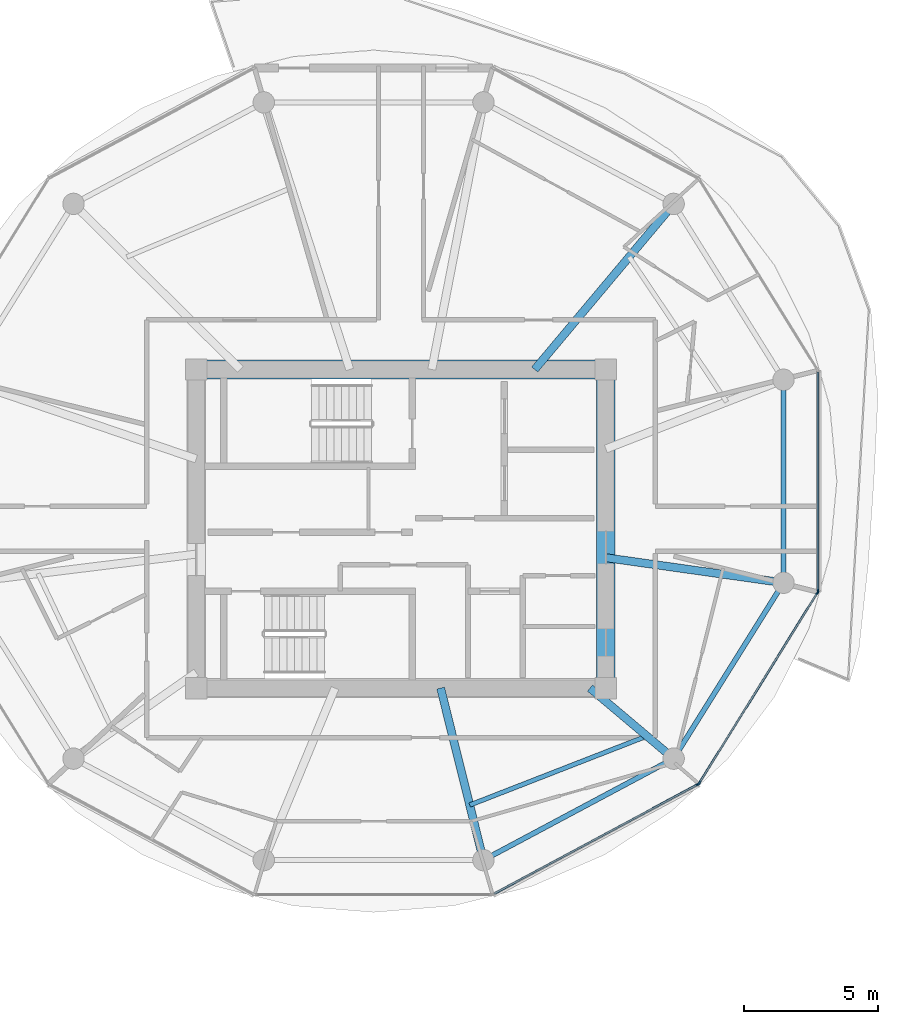
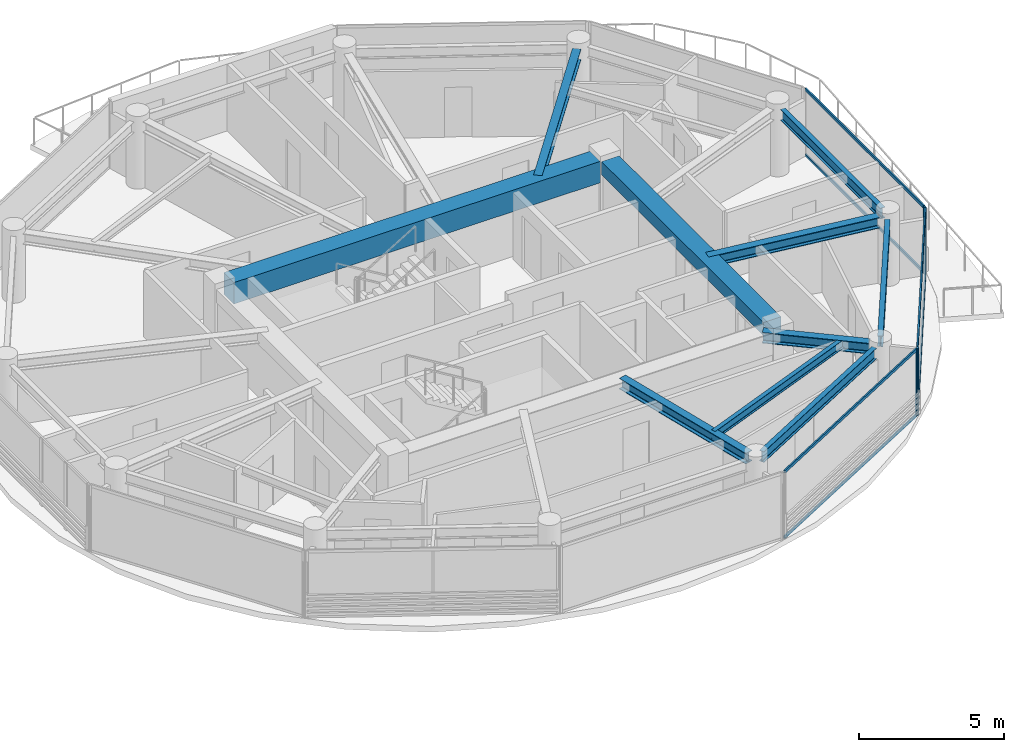
# One storey, part 9 of 22: 10 beams, 10 members, 3 elements without a shape of their own.
"""IFC4 building model written with IfcOpenShell, lengths in metres."""

from ifc_helpers import new_model, si_unit, direction, frame, origin, origin_2d, place, context, subcontext, project, spatial, rectangle, i_section, extrude, source, transform, mapped, material, layer, layer_set, material_profile, profile_set, type_object, type_shapes, element, aggregate, save


model = new_model("IFC4")

# Units and contexts
model_context = context("Model", 3, precision=1e-05, world=origin(), true_north=direction((0.0, 1.0)))
body_context = subcontext(model_context, "Body", "Model", "MODEL_VIEW")
ifc_project = project(units=[si_unit("LENGTHUNIT", "METRE"), si_unit("AREAUNIT", "SQUARE_METRE"), si_unit("VOLUMEUNIT", "CUBIC_METRE"), si_unit("PLANEANGLEUNIT", "RADIAN"), si_unit("MASSUNIT", "GRAM", prefix="KILO")], contexts=[model_context])

# Site, building, storey
site_placement = place(None, origin())
site = spatial("IfcSite", under=ifc_project, at=site_placement, CompositionType="ELEMENT")
building_placement = place(site_placement, origin())
building = spatial("IfcBuilding", under=site, at=building_placement, Name="Norrkilde Senior Care Towers", CompositionType="ELEMENT")
storey_placement = place(building_placement, frame((0.0, 0.0, 170.89990234375)))
storey = spatial("IfcBuildingStorey", under=building, at=storey_placement, Name="L53", CompositionType="ELEMENT", Elevation=170.89990234375)

# Beams
ifc_material_1 = material(Name="Concrete C60/75", Category="concrete")
ifc_material_profile_1 = material_profile(ifc_material_1, rectangle(XDim=0.699951171875, YDim=0.89990234375, at=origin_2d()), Name="RC BM 700x900")
ifc_profile_set_1 = profile_set([ifc_material_profile_1], Name="Concrete C60/75")
beam_type_1 = type_object("IfcBeamType", Name="Core Coupling Girder 700x900", PredefinedType="USERDEFINED", material=ifc_profile_set_1)
shared_shape_1 = source(origin(), body_context, "Body", "SweptSolid", [
    extrude(rectangle(XDim=0.699951171875, YDim=0.89990234375, at=origin_2d()), origin(), (0.0, 0.0, 1.0), 14.5400390625),
])
type_shapes(beam_type_1, [shared_shape_1])
beam_1_placement = place(storey_placement, frame((20.72998046875, 5.949951171875, 2.360107421875), z_axis=(1.0, 0.0, 0.0), x_axis=(0.0, 1.0, 0.0)))
element("IfcBeam", 1, at=beam_1_placement, inside=storey, type_object=beam_type_1, Name="L53 Core E N Coupling Girder", ObjectType="GIRDER", PredefinedType="USERDEFINED", context=body_context, shape_type="MappedRepresentation", body=[
    mapped(shared_shape_1, transform((0.0, 0.0, 0.0), x_axis=(1.0, 0.0, 0.0), y_axis=(0.0, 1.0, 0.0), z_axis=(0.0, 0.0, 1.0), scale=1.0)),
])
ifc_material_profile_2 = material_profile(ifc_material_1, rectangle(XDim=0.699951171875, YDim=0.550048828125, at=origin_2d()), Name="RC BM 700x550")
ifc_profile_set_2 = profile_set([ifc_material_profile_2], Name="Concrete C60/75")
beam_type_2 = type_object("IfcBeamType", Name="Core Portal Coupling Beam 700x550", PredefinedType="USERDEFINED", material=ifc_profile_set_2)
shared_shape_2 = source(origin(), body_context, "Body", "SweptSolid", [
    extrude(rectangle(XDim=0.699951171875, YDim=0.550048828125, at=origin_2d()), origin(), (0.0, 0.0, 1.0), 11.14013671875),
])
type_shapes(beam_type_2, [shared_shape_2])
beam_2_placement = place(storey_placement, frame((35.64990234375, -5.570068359375, 2.53515625), z_axis=(0.0, 1.0, 0.0), x_axis=(-1.0, 0.0, 0.0)))
element("IfcBeam", 2, at=beam_2_placement, inside=storey, type_object=beam_type_2, Name="L53 Core E E Coupling Girder", ObjectType="GIRDER", PredefinedType="USERDEFINED", context=body_context, shape_type="MappedRepresentation", body=[
    mapped(shared_shape_2, transform((0.0, 0.0, 0.0), x_axis=(1.0, 0.0, 0.0), y_axis=(0.0, 1.0, 0.0), z_axis=(0.0, 0.0, 1.0), scale=1.0)),
])
ifc_material_2 = material(Name="Steel S355", Category="steel")
ifc_material_profile_3 = material_profile(ifc_material_2, i_section(OverallWidth=0.300048828125, OverallDepth=0.449951171875, WebThickness=0.013916015625, FlangeThickness=0.02587890625, FilletRadius=0.027099609375, at=origin_2d()), Name="HEB 450")
ifc_profile_set_3 = profile_set([ifc_material_profile_3], Name="Steel S355")
beam_type_3 = type_object("IfcBeamType", Name="Radial Floor Beam Z3 HEB450", PredefinedType="BEAM", material=ifc_profile_set_3)
shared_shape_3 = source(origin(), body_context, "Body", "SweptSolid", [
    extrude(i_section(OverallWidth=0.300048828125, OverallDepth=0.449951171875, WebThickness=0.013916015625, FlangeThickness=0.02587890625, FilletRadius=0.027099609375, at=origin_2d()), origin(), (0.0, 0.0, 1.0), 7.71337890625),
])
beam_3_placement = place(storey_placement, frame((32.992919921875, 5.949951171875, 2.585205078125), z_axis=(0.642808239864, 0.766027131872, 0.0), x_axis=(-0.766027131872, 0.642808239864, 0.0)))
element("IfcBeam", 3, at=beam_3_placement, inside=storey, type_object=beam_type_3, Name="L53 Drum E Radial Floor Beam 02", PredefinedType="BEAM", context=body_context, shape_type="MappedRepresentation", body=[
    mapped(shared_shape_3, transform((0.0, 0.0, 0.0), x_axis=(1.0, 0.0, 0.0), y_axis=(0.0, 1.0, 0.0), z_axis=(0.0, 0.0, 1.0), scale=1.0)),
])
ifc_material_profile_4 = material_profile(ifc_material_2, i_section(OverallWidth=0.18994140625, OverallDepth=0.449951171875, WebThickness=0.009521484375, FlangeThickness=0.0146484375, FilletRadius=0.02099609375, at=origin_2d()), Name="IPE 450")
ifc_profile_set_4 = profile_set([ifc_material_profile_4], Name="Steel S355")
beam_type_4 = type_object("IfcBeamType", Name="Perimeter Ring Spandrel Z3 IPE450", PredefinedType="SPANDREL", material=ifc_profile_set_4)
shared_shape_4 = source(origin(), body_context, "Body", "SweptSolid", [
    extrude(i_section(OverallWidth=0.18994140625, OverallDepth=0.449951171875, WebThickness=0.009521484375, FlangeThickness=0.0146484375, FilletRadius=0.02099609375, at=origin_2d()), origin(), (0.0, 0.0, 1.0), 6.86328125),
])
beam_4_placement = place(storey_placement, frame((42.284912109375, -1.65625, 2.585205078125), z_axis=(0.0, 1.0, 0.0), x_axis=(-1.0, 0.0, 0.0)))
element("IfcBeam", 4, at=beam_4_placement, inside=storey, type_object=beam_type_4, Name="L53 Drum E Perimeter Spandrel 12", PredefinedType="SPANDREL", context=body_context, shape_type="MappedRepresentation", body=[
    mapped(shared_shape_4, transform((0.0, 0.0, 0.0), x_axis=(1.0, 0.0, 0.0), y_axis=(0.0, 1.0, 0.0), z_axis=(0.0, 0.0, 1.0), scale=1.0)),
])
shared_shape_5 = source(origin(), body_context, "Body", "SweptSolid", [
    extrude(i_section(OverallWidth=0.18994140625, OverallDepth=0.449951171875, WebThickness=0.009521484375, FlangeThickness=0.0146484375, FilletRadius=0.02099609375, at=origin_2d()), origin(), (0.0, 0.0, 1.0), 7.023193359375),
])
beam_5_placement = place(storey_placement, frame((38.373291015625, -8.2783203125, 2.585205078125), z_axis=(0.529805197269, 0.848119362441, 0.0), x_axis=(-0.848119362441, 0.529805197269, 0.0)))
element("IfcBeam", 5, at=beam_5_placement, inside=storey, type_object=beam_type_4, Name="L53 Drum E Perimeter Spandrel 11", PredefinedType="SPANDREL", context=body_context, shape_type="MappedRepresentation", body=[
    mapped(shared_shape_5, transform((0.0, 0.0, 0.0), x_axis=(1.0, 0.0, 0.0), y_axis=(0.0, 1.0, 0.0), z_axis=(0.0, 0.0, 1.0), scale=1.0)),
])
shared_shape_6 = source(origin(), body_context, "Body", "SweptSolid", [
    extrude(i_section(OverallWidth=0.300048828125, OverallDepth=0.449951171875, WebThickness=0.013916015625, FlangeThickness=0.02587890625, FilletRadius=0.027099609375, at=origin_2d()), origin(), (0.0, 0.0, 1.0), 6.3408203125),
])
beam_6_placement = place(storey_placement, frame((35.64990234375, -1.079833984375, 2.585205078125), z_axis=(0.990184519576, -0.139766294905, 0.0), x_axis=(0.139766294905, 0.990184519576, 0.0)))
element("IfcBeam", 6, at=beam_6_placement, inside=storey, type_object=beam_type_3, Name="L53 Drum E Radial Floor Beam 12", PredefinedType="BEAM", context=body_context, shape_type="MappedRepresentation", body=[
    mapped(shared_shape_6, transform((0.0, 0.0, 0.0), x_axis=(1.0, 0.0, 0.0), y_axis=(0.0, 1.0, 0.0), z_axis=(0.0, 0.0, 1.0), scale=1.0)),
])
shared_shape_7 = source(origin(), body_context, "Body", "SweptSolid", [
    extrude(i_section(OverallWidth=0.18994140625, OverallDepth=0.449951171875, WebThickness=0.009521484375, FlangeThickness=0.0146484375, FilletRadius=0.02099609375, at=origin_2d()), origin(), (0.0, 0.0, 1.0), 7.333984375),
])
type_shapes(beam_type_4, [shared_shape_4, shared_shape_5, shared_shape_7])
beam_7_placement = place(storey_placement, frame((31.394775390625, -12.2060546875, 2.585205078125), z_axis=(0.882234038987, 0.470811109101, 0.0), x_axis=(-0.470811109101, 0.882234038987, 0.0)))
element("IfcBeam", 7, at=beam_7_placement, inside=storey, type_object=beam_type_4, Name="L53 Drum E Perimeter Spandrel 10", PredefinedType="SPANDREL", context=body_context, shape_type="MappedRepresentation", body=[
    mapped(shared_shape_7, transform((0.0, 0.0, 0.0), x_axis=(1.0, 0.0, 0.0), y_axis=(0.0, 1.0, 0.0), z_axis=(0.0, 0.0, 1.0), scale=1.0)),
])
shared_shape_8 = source(origin(), body_context, "Body", "SweptSolid", [
    extrude(i_section(OverallWidth=0.300048828125, OverallDepth=0.449951171875, WebThickness=0.013916015625, FlangeThickness=0.02587890625, FilletRadius=0.027099609375, at=origin_2d()), origin(), (0.0, 0.0, 1.0), 3.7265625),
])
beam_8_placement = place(storey_placement, frame((35.058349609375, -5.949951171875, 2.585205078125), z_axis=(0.764567902106, -0.644543189453, 0.0), x_axis=(0.644543189453, 0.764567902106, 0.0)))
element("IfcBeam", 8, at=beam_8_placement, inside=storey, type_object=beam_type_3, Name="L53 Drum E Radial Floor Beam 11", PredefinedType="BEAM", context=body_context, shape_type="MappedRepresentation", body=[
    mapped(shared_shape_8, transform((0.0, 0.0, 0.0), x_axis=(1.0, 0.0, 0.0), y_axis=(0.0, 1.0, 0.0), z_axis=(0.0, 0.0, 1.0), scale=1.0)),
])
shared_shape_9 = source(origin(), body_context, "Body", "SweptSolid", [
    extrude(i_section(OverallWidth=0.300048828125, OverallDepth=0.449951171875, WebThickness=0.013916015625, FlangeThickness=0.02587890625, FilletRadius=0.027099609375, at=origin_2d()), origin(), (0.0, 0.0, 1.0), 6.26123046875),
])
type_shapes(beam_type_3, [shared_shape_3, shared_shape_6, shared_shape_8, shared_shape_9])
beam_9_placement = place(storey_placement, frame((29.4794921875, -5.949951171875, 2.585205078125), z_axis=(0.241324375921, -0.970444509277, 0.0), x_axis=(0.970444509277, 0.241324375921, 0.0)))
element("IfcBeam", 9, at=beam_9_placement, inside=storey, type_object=beam_type_3, Name="L53 Drum E Radial Floor Beam 10", PredefinedType="BEAM", context=body_context, shape_type="MappedRepresentation", body=[
    mapped(shared_shape_9, transform((0.0, 0.0, 0.0), x_axis=(1.0, 0.0, 0.0), y_axis=(0.0, 1.0, 0.0), z_axis=(0.0, 0.0, 1.0), scale=1.0)),
])
ifc_material_profile_5 = material_profile(ifc_material_2, i_section(OverallWidth=0.169921875, OverallDepth=0.360107421875, WebThickness=0.008056640625, FlangeThickness=0.0126953125, FilletRadius=0.01806640625, at=origin_2d()), Name="IPE 360")
ifc_profile_set_5 = profile_set([ifc_material_profile_5], Name="Steel S355")
beam_type_5 = type_object("IfcBeamType", Name="Secondary Floor Joist IPE360", PredefinedType="JOIST", material=ifc_profile_set_5)
shared_shape_10 = source(origin(), body_context, "Body", "SweptSolid", [
    extrude(i_section(OverallWidth=0.169921875, OverallDepth=0.360107421875, WebThickness=0.008056640625, FlangeThickness=0.0126953125, FilletRadius=0.01806640625, at=origin_2d()), origin(), (0.0, 0.0, 1.0), 7.1015625),
])
type_shapes(beam_type_5, [shared_shape_10])
beam_10_placement = place(storey_placement, frame((30.56591796875, -10.3193359375, 2.630126953125), z_axis=(0.931761231292, 0.363071629106, 0.0), x_axis=(-0.363071629106, 0.931761231292, 0.0)))
element("IfcBeam", 10, at=beam_10_placement, inside=storey, type_object=beam_type_5, Name="L53 Drum E Secondary Floor Joist 4", PredefinedType="JOIST", context=body_context, shape_type="MappedRepresentation", body=[
    mapped(shared_shape_10, transform((0.0, 0.0, 0.0), x_axis=(1.0, 0.0, 0.0), y_axis=(0.0, 1.0, 0.0), z_axis=(0.0, 0.0, 1.0), scale=1.0)),
])

# Curtain wall, member
ifc_material_3 = material(Name="Triple Low-E Insulated Glazing", Category="glass")
ifc_layer = layer(ifc_material_3, 0.18994140625)
ifc_layer_set = layer_set([ifc_layer], Name="Triple Low-E Insulated Glazing")
curtain_wall_type = type_object("IfcCurtainWallType", Name="CW4 Zone 3 Senior Residence Curtain Wall", PredefinedType="NOTDEFINED", material=ifc_layer_set)
curtain_wall_1_placement = place(storey_placement, origin())
curtain_wall_1 = element("IfcCurtainWall", 11, at=curtain_wall_1_placement, inside=storey, type_object=curtain_wall_type, Name="L53 Drum E Curtain Wall 09", PredefinedType="NOTDEFINED")
ifc_material_4 = material(Name="Anodised Aluminium", Category="aluminium")
ifc_material_profile_6 = material_profile(ifc_material_4, rectangle(XDim=0.06494140625, YDim=0.14990234375, at=origin_2d()), Name="ALU MULL 65x150")
ifc_profile_set_6 = profile_set([ifc_material_profile_6], Name="Anodised Aluminium")
member_type_1 = type_object("IfcMemberType", Name="Curtain Wall Mullion Z3-Z4 65x150", PredefinedType="MULLION", material=ifc_profile_set_6)
shared_shape_11 = source(origin(), body_context, "Body", "SweptSolid", [
    extrude(rectangle(XDim=0.06494140625, YDim=0.14990234375, at=origin_2d()), origin(), (0.0, 0.0, 1.0), 2.81005859375),
])
type_shapes(member_type_1, [shared_shape_11])
member_1_placement = place(storey_placement, frame((39.094482421875, -9.53955078125, 0.0), z_axis=(0.0, 0.0, 1.0), x_axis=(0.47311715104, -0.880999524059, 0.0)))
member_1 = element("IfcMember", 12, at=member_1_placement, type_object=member_type_1, Name="CW-4 mullion 1", PredefinedType="MULLION", context=body_context, shape_type="MappedRepresentation", body=[
    mapped(shared_shape_11, transform((0.0, 0.0, 0.0), x_axis=(1.0, 0.0, 0.0), y_axis=(0.0, 1.0, 0.0), z_axis=(0.0, 0.0, 1.0), scale=1.0)),
])

# Curtain wall, members
curtain_wall_2_placement = place(storey_placement, origin())
curtain_wall_2 = element("IfcCurtainWall", 13, at=curtain_wall_2_placement, inside=storey, type_object=curtain_wall_type, Name="L53 Drum E Curtain Wall 10", PredefinedType="NOTDEFINED")
member_2_placement = place(storey_placement, frame((43.552490234375, -2.38818359375, 0.0), z_axis=(0.0, 0.0, 1.0), x_axis=(0.84963405474, -0.52737270789, 0.0)))
member_2 = element("IfcMember", 14, at=member_2_placement, type_object=member_type_1, Name="CW-4 mullion 1", PredefinedType="MULLION", context=body_context, shape_type="MappedRepresentation", body=[
    mapped(shared_shape_11, transform((0.0, 0.0, 0.0), x_axis=(1.0, 0.0, 0.0), y_axis=(0.0, 1.0, 0.0), z_axis=(0.0, 0.0, 1.0), scale=1.0)),
])
member_3_placement = place(storey_placement, frame((39.14013671875, -9.49658203125, 0.0), z_axis=(0.0, 0.0, 1.0), x_axis=(0.84963405474, -0.52737270789, 0.0)))
member_3 = element("IfcMember", 15, at=member_3_placement, type_object=member_type_1, Name="CW-4 mullion 2", PredefinedType="MULLION", context=body_context, shape_type="MappedRepresentation", body=[
    mapped(shared_shape_11, transform((0.0, 0.0, 0.0), x_axis=(1.0, 0.0, 0.0), y_axis=(0.0, 1.0, 0.0), z_axis=(0.0, 0.0, 1.0), scale=1.0)),
])

# Curtain wall, member
curtain_wall_3_placement = place(storey_placement, origin())
curtain_wall_3 = element("IfcCurtainWall", 16, at=curtain_wall_3_placement, inside=storey, type_object=curtain_wall_type, Name="L53 Drum E Curtain Wall 11", PredefinedType="NOTDEFINED")
member_4_placement = place(storey_placement, frame((43.569580078125, -2.328125, 0.0), z_axis=(0.0, 0.0, 1.0), x_axis=(1.0, 0.0, 0.0)))
member_4 = element("IfcMember", 17, at=member_4_placement, type_object=member_type_1, Name="CW-4 mullion 2", PredefinedType="MULLION", context=body_context, shape_type="MappedRepresentation", body=[
    mapped(shared_shape_11, transform((0.0, 0.0, 0.0), x_axis=(1.0, 0.0, 0.0), y_axis=(0.0, 1.0, 0.0), z_axis=(0.0, 0.0, 1.0), scale=1.0)),
])

# Member
ifc_material_profile_7 = material_profile(ifc_material_4, rectangle(XDim=0.06005859375, YDim=0.1201171875, at=origin_2d()), Name="ALU TRAN 60x120")
ifc_profile_set_7 = profile_set([ifc_material_profile_7], Name="Anodised Aluminium")
member_type_2 = type_object("IfcMemberType", Name="Curtain Wall Transom Typical 60x120", PredefinedType="USERDEFINED", material=ifc_profile_set_7)
shared_shape_12 = source(origin(), body_context, "Body", "SweptSolid", [
    extrude(rectangle(XDim=0.06005859375, YDim=0.1201171875, at=origin_2d()), origin(), (0.0, 0.0, 1.0), 8.301513671875),
])
member_5_placement = place(storey_placement, frame((43.535400390625, -2.415771484375, 0.030029296875), z_axis=(-0.527368718394, -0.849636531029, 0.0), x_axis=(0.849636531029, -0.527368718394, 0.0)))
member_5 = element("IfcMember", 18, at=member_5_placement, type_object=member_type_2, Name="CW-4 transom 1.1", ObjectType="TRANSOM", PredefinedType="USERDEFINED", context=body_context, shape_type="MappedRepresentation", body=[
    mapped(shared_shape_12, transform((0.0, 0.0, 0.0), x_axis=(1.0, 0.0, 0.0), y_axis=(0.0, 1.0, 0.0), z_axis=(0.0, 0.0, 1.0), scale=1.0)),
])

member_6_placement = place(storey_placement, frame((43.535400390625, -2.415771484375, 2.780029296875), z_axis=(-0.527368718394, -0.849636531029, 0.0), x_axis=(0.849636531029, -0.527368718394, 0.0)))
member_6 = element("IfcMember", 19, at=member_6_placement, type_object=member_type_2, Name="CW-4 transom 1.2", ObjectType="TRANSOM", PredefinedType="USERDEFINED", context=body_context, shape_type="MappedRepresentation", body=[
    mapped(shared_shape_12, transform((0.0, 0.0, 0.0), x_axis=(1.0, 0.0, 0.0), y_axis=(0.0, 1.0, 0.0), z_axis=(0.0, 0.0, 1.0), scale=1.0)),
])

aggregate(curtain_wall_2, [member_2, member_3, member_5, member_6])

shared_shape_13 = source(origin(), body_context, "Body", "SweptSolid", [
    extrude(rectangle(XDim=0.06005859375, YDim=0.1201171875, at=origin_2d()), origin(), (0.0, 0.0, 1.0), 8.612060546875),
])
member_7_placement = place(storey_placement, frame((39.06591796875, -9.554931640625, 0.030029296875), z_axis=(-0.881000337462, -0.473115636384, 0.0), x_axis=(0.473115636384, -0.881000337462, 0.0)))
member_7 = element("IfcMember", 20, at=member_7_placement, type_object=member_type_2, Name="CW-4 transom 1.1", ObjectType="TRANSOM", PredefinedType="USERDEFINED", context=body_context, shape_type="MappedRepresentation", body=[
    mapped(shared_shape_13, transform((0.0, 0.0, 0.0), x_axis=(1.0, 0.0, 0.0), y_axis=(0.0, 1.0, 0.0), z_axis=(0.0, 0.0, 1.0), scale=1.0)),
])

member_8_placement = place(storey_placement, frame((39.06591796875, -9.554931640625, 2.780029296875), z_axis=(-0.881000337462, -0.473115636384, 0.0), x_axis=(0.473115636384, -0.881000337462, 0.0)))
member_8 = element("IfcMember", 21, at=member_8_placement, type_object=member_type_2, Name="CW-4 transom 1.2", ObjectType="TRANSOM", PredefinedType="USERDEFINED", context=body_context, shape_type="MappedRepresentation", body=[
    mapped(shared_shape_13, transform((0.0, 0.0, 0.0), x_axis=(1.0, 0.0, 0.0), y_axis=(0.0, 1.0, 0.0), z_axis=(0.0, 0.0, 1.0), scale=1.0)),
])

aggregate(curtain_wall_1, [member_1, member_7, member_8])

shared_shape_14 = source(origin(), body_context, "Body", "SweptSolid", [
    extrude(rectangle(XDim=0.06005859375, YDim=0.1201171875, at=origin_2d()), origin(), (0.0, 0.0, 1.0), 8.141845703125),
])
type_shapes(member_type_2, [shared_shape_12, shared_shape_13, shared_shape_14])
member_9_placement = place(storey_placement, frame((43.569580078125, 5.84619140625, 0.030029296875), z_axis=(0.0, -1.0, 0.0), x_axis=(1.0, 0.0, 0.0)))
member_9 = element("IfcMember", 22, at=member_9_placement, type_object=member_type_2, Name="CW-4 transom 1.1", ObjectType="TRANSOM", PredefinedType="USERDEFINED", context=body_context, shape_type="MappedRepresentation", body=[
    mapped(shared_shape_14, transform((0.0, 0.0, 0.0), x_axis=(1.0, 0.0, 0.0), y_axis=(0.0, 1.0, 0.0), z_axis=(0.0, 0.0, 1.0), scale=1.0)),
])

member_10_placement = place(storey_placement, frame((43.569580078125, 5.84619140625, 2.780029296875), z_axis=(0.0, -1.0, 0.0), x_axis=(1.0, 0.0, 0.0)))
member_10 = element("IfcMember", 23, at=member_10_placement, type_object=member_type_2, Name="CW-4 transom 1.2", ObjectType="TRANSOM", PredefinedType="USERDEFINED", context=body_context, shape_type="MappedRepresentation", body=[
    mapped(shared_shape_14, transform((0.0, 0.0, 0.0), x_axis=(1.0, 0.0, 0.0), y_axis=(0.0, 1.0, 0.0), z_axis=(0.0, 0.0, 1.0), scale=1.0)),
])

aggregate(curtain_wall_3, [member_4, member_9, member_10])

save(model, "model.ifc")
